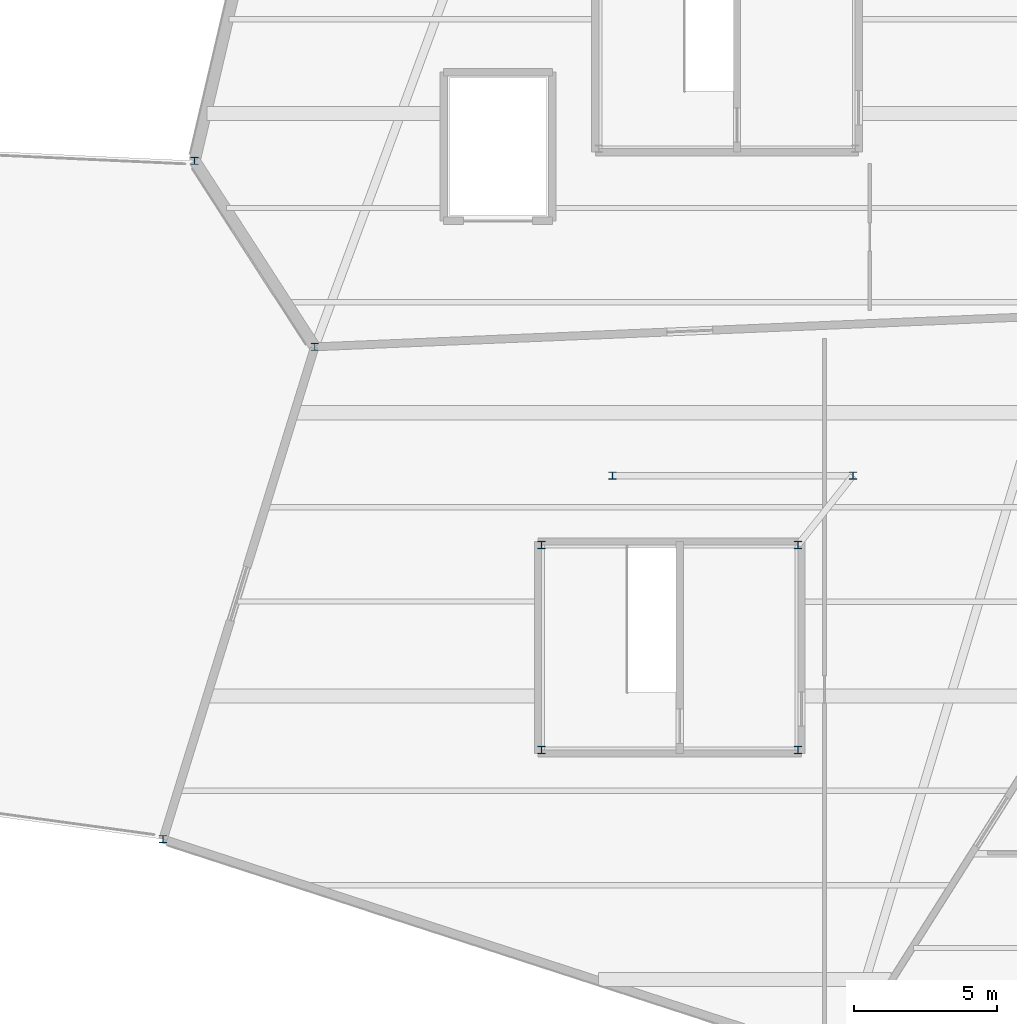
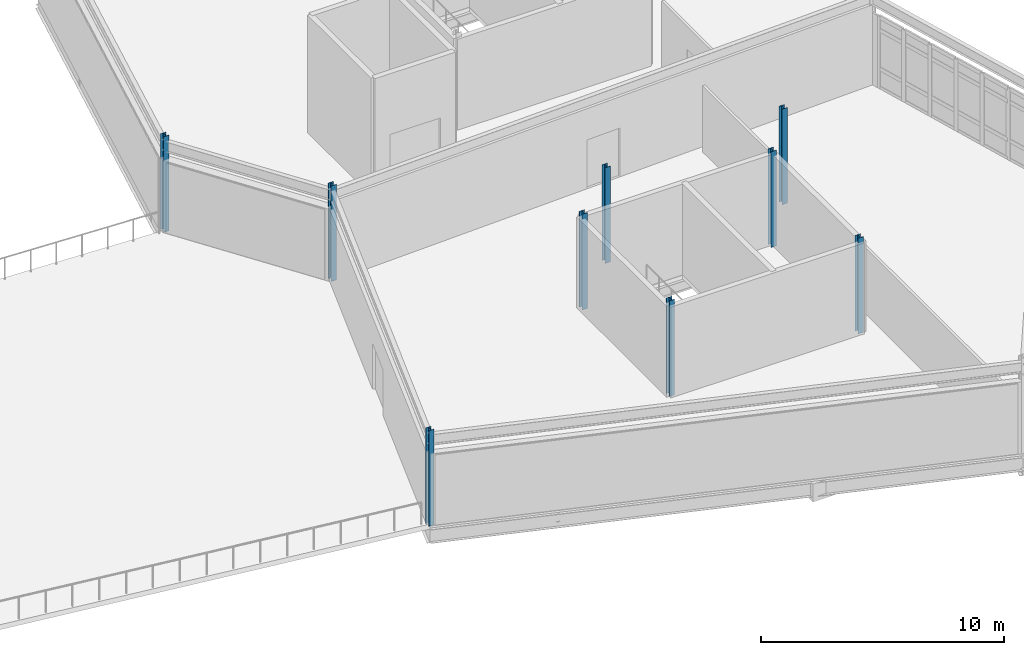
# One storey, part 7 of 76: 9 columns.
"""IFC4 building model written with IfcOpenShell, lengths in metres."""

from ifc_helpers import new_model, si_unit, direction, frame, origin, origin_2d, place, context, subcontext, project, spatial, i_section, extrude, material, material_profile, profile_set, type_object, element, save


model = new_model("IFC4")

# Units and contexts
model_context = context("Model", 3, precision=1e-05, world=origin(), true_north=direction((0.0, 1.0)))
body_context = subcontext(model_context, "Body", "Model", "MODEL_VIEW")
ifc_project = project(units=[si_unit("LENGTHUNIT", "METRE"), si_unit("AREAUNIT", "SQUARE_METRE"), si_unit("VOLUMEUNIT", "CUBIC_METRE"), si_unit("PLANEANGLEUNIT", "RADIAN"), si_unit("MASSUNIT", "GRAM", prefix="KILO")], contexts=[model_context])

# Site, building, storey
site_placement = place(None, origin())
site = spatial("IfcSite", under=ifc_project, at=site_placement, CompositionType="ELEMENT")
building_placement = place(site_placement, origin())
building = spatial("IfcBuilding", under=site, at=building_placement, Name="Tameran Prism Museum", CompositionType="ELEMENT")
storey_placement = place(building_placement, frame((0.0, 0.0, 15.0)))
storey = spatial("IfcBuildingStorey", under=building, at=storey_placement, Name="L03", CompositionType="ELEMENT", Elevation=15.0)

# Columns
ifc_material = material(Name="Steel Grade 300PLUS (300 MPa)", Category="steel")
ifc_material_profile = material_profile(ifc_material, i_section(OverallWidth=0.25390625, OverallDepth=0.25390625, WebThickness=0.008544921875, FlangeThickness=0.01416015625, FilletRadius=0.0126953125, at=origin_2d()))
ifc_profile_set = profile_set([ifc_material_profile])
column_type = type_object("IfcColumnType", Name="COL-UC250B", PredefinedType="COLUMN", material=ifc_profile_set)
for number, where, z_axis, x_axis, name in (
    (1, (26.300048828125, 64.300048828125, 0.0), (0.0, 0.0, 1.0), (1.0, 0.0, 0.0), "Column CV-16 L03"),
    (2, (27.39990234375, 88.0, 0.0), (0.0, 0.0, 1.0), (1.0, 0.0, 0.0), "Column CV-17 L03"),
    (3, (31.60009765625, 81.5, 0.0), (0.0, 0.0, 1.0), (1.0, 0.0, 0.0), "Column CV-20 L03"),
    (4, (42.0, 77.0, 0.0), (0.0, 0.0, 1.0), (1.0, 0.0, 0.0), "Column CI-01 L03"),
    (5, (50.39990234375, 77.0, 0.0), (0.0, 0.0, 1.0), (1.0, 0.0, 0.0), "Column CI-02 L03"),
    (6, (39.52001953125, 67.419921875, 0.0), (0.0, 0.0, 1.0), (1.0, 0.0, 0.0), "Column CC-5-1 L03"),
    (7, (48.47998046875, 67.419921875, 0.0), (0.0, 0.0, 1.0), (1.0, 0.0, 0.0), "Column CC-5-2 L03"),
    (8, (48.47998046875, 74.580078125, 0.0), (0.0, 0.0, 1.0), (1.0, 0.0, 0.0), "Column CC-5-3 L03"),
    (9, (39.52001953125, 74.580078125, 0.0), (0.0, 0.0, 1.0), (1.0, 0.0, 0.0), "Column CC-5-4 L03"),
):
    element("IfcColumn", number, at=place(storey_placement, frame(where, z_axis=z_axis, x_axis=x_axis)), inside=storey, type_object=column_type, Name=name, PredefinedType="COLUMN", context=body_context, shape_type="SweptSolid", body=[
        extrude(i_section(OverallWidth=0.25390625, OverallDepth=0.25390625, WebThickness=0.008544921875, FlangeThickness=0.01416015625, FilletRadius=0.0126953125, at=origin_2d()), origin(), (0.0, 0.0, 1.0), 4.800048828125),
    ])

save(model, "model.ifc")
